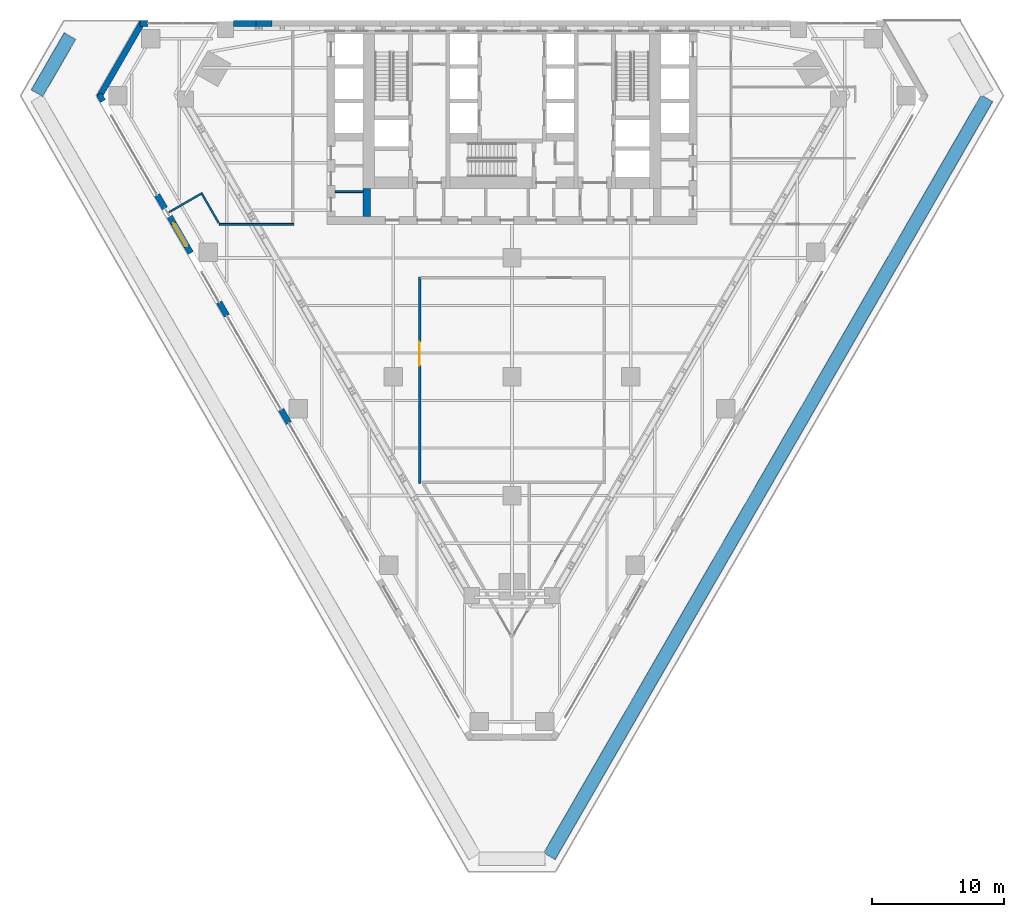
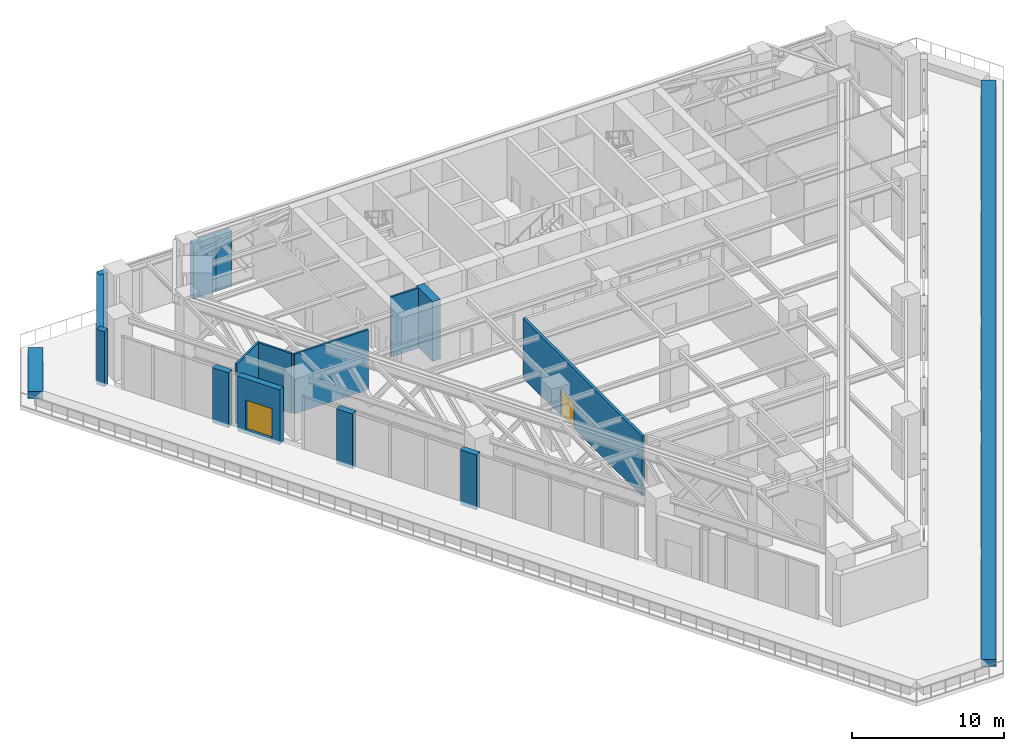
# One storey, part 18 of 25: 17 walls, 2 doors, 2 openings.
"""IFC4 building model written with IfcOpenShell, lengths in metres."""

from ifc_helpers import new_model, si_unit, direction, frame, frame_2d, origin, place, context, subcontext, project, spatial, polyline, rectangle, outline, extrude, material, layer, layer_set, type_object, element, fill, save


model = new_model("IFC4")

# Units and contexts
model_context = context("Model", 3, precision=1e-05, world=origin(), true_north=direction((0.0, 1.0)))
body_context = subcontext(model_context, "Body", "Model", "MODEL_VIEW")
ifc_project = project(units=[si_unit("LENGTHUNIT", "METRE"), si_unit("AREAUNIT", "SQUARE_METRE"), si_unit("VOLUMEUNIT", "CUBIC_METRE"), si_unit("PLANEANGLEUNIT", "RADIAN"), si_unit("MASSUNIT", "GRAM", prefix="KILO")], contexts=[model_context])

# Site, building, storey
site_placement = place(None, origin())
site = spatial("IfcSite", under=ifc_project, at=site_placement, CompositionType="ELEMENT")
building_placement = place(site_placement, origin())
building = spatial("IfcBuilding", under=site, at=building_placement, Name="Aloe Facet Convention Tower", CompositionType="ELEMENT")
storey_placement = place(building_placement, frame((0.0, 0.0, 30.0)))
storey = spatial("IfcBuildingStorey", under=building, at=storey_placement, Name="L05", CompositionType="ELEMENT", Elevation=30.0)

# Walls
ifc_material_1 = material(Name="Concrete blockwork partition", Category="masonry")
ifc_layer_1 = layer(ifc_material_1, 0.14990234375)
ifc_layer_set_1 = layer_set([ifc_layer_1], Name="CR-W-PART150")
wall_type_1 = type_object("IfcWallType", Name="CR-W-PART150", PredefinedType="PARTITIONING", material=ifc_layer_set_1)
wall_1_placement = place(storey_placement, frame((66.60009765625, 122.02490234375, 0.0), z_axis=(0.0, 0.0, 1.0), x_axis=(1.0, 0.0, 0.0)))
element("IfcWall", 1, at=wall_1_placement, inside=storey, type_object=wall_type_1, Name="Core partition L05-008", PredefinedType="PARTITIONING", context=body_context, shape_type="SweptSolid", body=[
    extrude(rectangle(XDim=2.099853515625, YDim=0.14990234375, at=frame_2d((1.0498046875, 0.0))), origin(), (0.0, 0.0, 1.0), 4.800048828125),
])
ifc_material_2 = material(Name="Concrete C80/95", Category="concrete")
ifc_layer_2 = layer(ifc_material_2, 0.60009765625)
ifc_layer_set_2 = layer_set([ifc_layer_2], Name="CR-W-RC600-C8095")
wall_type_2 = type_object("IfcWallType", Name="CR-W-RC600-C8095", PredefinedType="SOLIDWALL", material=ifc_layer_set_2)
wall_2_placement = place(storey_placement, frame((69.0, 122.25, 0.0), z_axis=(0.0, 0.0, 1.0), x_axis=(0.0, -1.0, 0.0)))
element("IfcWall", 2, at=wall_2_placement, inside=storey, type_object=wall_type_2, Name="Core wall L05-010", PredefinedType="SOLIDWALL", context=body_context, shape_type="SweptSolid", body=[
    extrude(rectangle(XDim=2.10009765625, YDim=0.60009765625, at=frame_2d((1.050048828125, 0.0))), origin(), (0.0, 0.0, 1.0), 4.800048828125),
])
ifc_material_3 = material(Name="Precast concrete C40/50", Category="concrete")
ifc_layer_3 = layer(ifc_material_3, 1.0)
ifc_layer_set_3 = layer_set([ifc_layer_3], Name="EV-PLANTER-BED")
wall_type_3 = type_object("IfcWallType", Name="EV-PLANTER-BED", PredefinedType="STANDARD", material=ifc_layer_set_3)
wall_3_placement = place(storey_placement, frame((115.98095703125, 129.09130859375, 0.0), z_axis=(0.0, 0.0, 1.0), x_axis=(-0.500000858155, -0.866024908328, 0.0)))
element("IfcWall", 3, at=wall_3_placement, inside=storey, type_object=wall_type_3, Name="PLANTER PT-L05-1-2", PredefinedType="STANDARD", context=body_context, shape_type="SweptSolid", body=[
    extrude(rectangle(XDim=66.2939453125, YDim=1.0, at=frame_2d((33.14697265625, 0.0))), origin(), (0.0, 0.0, 1.0), 0.60009765625),
])
wall_4_placement = place(storey_placement, frame((44.01904296875, 129.47705078125, 0.0), z_axis=(0.0, 0.0, 1.0), x_axis=(0.500004234368, 0.866022959057, 0.0)))
element("IfcWall", 4, at=wall_4_placement, inside=storey, type_object=wall_type_3, Name="PLANTER PT-L05-1-5", PredefinedType="STANDARD", context=body_context, shape_type="SweptSolid", body=[
    extrude(rectangle(XDim=5.0, YDim=1.0, at=frame_2d((2.5, 0.0))), origin(), (0.0, 0.0, 1.0), 0.60009765625),
])
ifc_material_4 = material(Name="Precast concrete C40/50", Category="concrete")
ifc_layer_4 = layer(ifc_material_4, 0.449951171875)
ifc_layer_set_4 = layer_set([ifc_layer_4], Name="EV-WALL-PIER")
wall_type_4 = type_object("IfcWallType", Name="EV-WALL-PIER", PredefinedType="SOLIDWALL", material=ifc_layer_set_4)
wall_5_placement = place(storey_placement, frame((0.0, 0.0, -0.300048828125)))
element("IfcWall", 5, at=wall_5_placement, inside=storey, type_object=wall_type_4, Name="EP-L05-A", PredefinedType="SOLIDWALL", context=body_context, shape_type="SweptSolid", body=[
    extrude(outline(polyline([(51.826416015625, 135.0), (51.826416015625, 134.550048828125), (52.08642578125, 134.550048828125), (49.046142578125, 129.2841796875), (48.916259765625, 129.50927734375), (48.526611328125, 129.2841796875), (51.826416015625, 135.0)])), origin(), (0.0, 0.0, 1.0), 4.41259765625),
])
ifc_material_5 = material(Name="Precast concrete C40/50", Category="concrete")
ifc_layer_5 = layer(ifc_material_5, 0.449951171875)
ifc_layer_set_5 = layer_set([ifc_layer_5], Name="EV-WALL-STONE")
wall_type_5 = type_object("IfcWallType", Name="EV-WALL-STONE", PredefinedType="SOLIDWALL", material=ifc_layer_set_5)
wall_6_placement = place(storey_placement, frame((61.817626953125, 134.77490234375, -0.300048828125), z_axis=(0.0, 0.0, 1.0), x_axis=(-1.0, 0.0, 0.0)))
element("IfcWall", 6, at=wall_6_placement, inside=storey, type_object=wall_type_5, Name="PW-L05-N11", PredefinedType="SOLIDWALL", context=body_context, shape_type="SweptSolid", body=[
    extrude(rectangle(XDim=1.199951171875, YDim=0.449951171875, at=frame_2d((0.60009765625, 0.0))), origin(), (0.0, 0.0, 1.0), 4.41259765625),
])
wall_7_placement = place(storey_placement, frame((60.61767578125, 134.77490234375, -0.300048828125), z_axis=(0.0, 0.0, 1.0), x_axis=(-1.0, 0.0, 0.0)))
element("IfcWall", 7, at=wall_7_placement, inside=storey, type_object=wall_type_5, Name="CW-L05-N12-R1", PredefinedType="SOLIDWALL", context=body_context, shape_type="SweptSolid", body=[
    extrude(rectangle(XDim=1.7177734375, YDim=0.449951171875, at=frame_2d((0.85888671875, 0.0))), origin(), (0.0, 0.0, 1.0), 4.41259765625),
])
wall_8_placement = place(storey_placement, frame((52.426513671875, 134.77490234375, -0.300048828125), z_axis=(0.0, 0.0, 1.0), x_axis=(-1.0, 0.0, 0.0)))
element("IfcWall", 8, at=wall_8_placement, inside=storey, type_object=wall_type_5, Name="PW-L05-N13", PredefinedType="SOLIDWALL", context=body_context, shape_type="SweptSolid", body=[
    extrude(rectangle(XDim=0.60009765625, YDim=0.449951171875, at=frame_2d((0.300048828125, 0.0))), origin(), (0.0, 0.0, 1.0), 4.41259765625),
])
wall_9_placement = place(storey_placement, frame((48.721435546875, 129.396728515625, -0.300048828125), z_axis=(0.0, 0.0, 1.0), x_axis=(0.499816412211, -0.866131372301, 0.0)))
element("IfcWall", 9, at=wall_9_placement, inside=storey, type_object=wall_type_5, Name="PW-L05-W01", PredefinedType="SOLIDWALL", context=body_context, shape_type="SweptSolid", body=[
    extrude(rectangle(XDim=0.599853515625, YDim=0.449951171875, at=frame_2d((0.2998046875, 0.0))), origin(), (0.0, 0.0, 1.0), 4.41259765625),
])
wall_10_placement = place(storey_placement, frame((53.116943359375, 121.783447265625, -0.300048828125), z_axis=(0.0, 0.0, 1.0), x_axis=(0.500033551112, -0.866006032174, 0.0)))
element("IfcWall", 10, at=wall_10_placement, inside=storey, type_object=wall_type_5, Name="PW-L05-W03", PredefinedType="SOLIDWALL", context=body_context, shape_type="SweptSolid", body=[
    extrude(rectangle(XDim=1.2001953125, YDim=0.449951171875, at=frame_2d((0.60009765625, 0.0))), origin(), (0.0, 0.0, 1.0), 4.41259765625),
])

# Wall, opening, door
wall_11_placement = place(storey_placement, frame((54.064697265625, 120.141845703125, -0.300048828125), z_axis=(0.0, 0.0, 1.0), x_axis=(0.499995408039, -0.866028054938, 0.0)))
wall_11 = element("IfcWall", 11, at=wall_11_placement, inside=storey, type_object=wall_type_5, Name="PW-L05-W04", PredefinedType="SOLIDWALL", context=body_context, shape_type="SweptSolid", body=[
    extrude(rectangle(XDim=3.2001953125, YDim=0.449951171875, at=frame_2d((1.60009765625, 0.0))), origin(), (0.0, 0.0, 1.0), 4.41259765625),
])
opening_1_placement = place(wall_11_placement, frame((0.60009765625, 0.0, 0.300048828125)))
opening_1 = element("IfcOpeningElement", 12, at=opening_1_placement, cuts=wall_11, Name="Opening D-L05-W04", PredefinedType="OPENING", context=body_context, shape_type="SweptSolid", body=[
    extrude(rectangle(XDim=2.0, YDim=2.39990234375, at=frame_2d((1.0, 1.199951171875))), frame((0.0, 0.23486328125, 0.0), z_axis=(0.0, -1.0, 0.0), x_axis=(1.0, 0.0, 0.0)), (0.0, 0.0, 1.0), 0.469970703125),
])
ifc_material_6 = material(Name="Aluminium frame, clear double glazing", Category="aluminium")
door_type_1 = type_object("IfcDoorType", Name="EV-DOOR-HALL", OperationType="DOUBLE_DOOR_SINGLE_SWING", PredefinedType="DOOR", material=ifc_material_6)
door_1_placement = place(opening_1_placement, origin())
door_1 = element("IfcDoor", 13, at=door_1_placement, inside=storey, type_object=door_type_1, Name="D-L05-W04", OperationType="DOUBLE_DOOR_SINGLE_SWING", OverallHeight=2.39990234375, OverallWidth=2.0, PredefinedType="DOOR", context=body_context, shape_type="SweptSolid", body=[
    extrude(rectangle(XDim=2.0, YDim=2.39990234375, at=frame_2d((1.0, 1.199951171875))), frame((0.0, 0.02490234375, 0.0), z_axis=(0.0, -1.0, 0.0), x_axis=(1.0, 0.0, 0.0)), (0.0, 0.0, 1.0), 0.050048828125),
])
fill(opening_1, door_1)

# Walls
for number, where, z_axis, x_axis, name in (
    (14, (57.8125, 113.650390625, -0.300048828125), (0.0, 0.0, 1.0), (0.500033551112, -0.866006032174, 0.0), "PW-L05-W05"),
    (15, (62.508056640625, 105.517333984375, -0.300048828125), (0.0, 0.0, 1.0), (0.500033551112, -0.866006032174, 0.0), "PW-L05-W07"),
):
    element("IfcWall", number, at=place(storey_placement, frame(where, z_axis=z_axis, x_axis=x_axis)), inside=storey, type_object=wall_type_5, Name=name, PredefinedType="SOLIDWALL", context=body_context, shape_type="SweptSolid", body=[
        extrude(rectangle(XDim=1.2001953125, YDim=0.449951171875, at=frame_2d((0.60009765625, 0.0))), origin(), (0.0, 0.0, 1.0), 4.41259765625),
    ])

# Wall, opening, door
ifc_material_7 = material(Name="Masonry blockwork wall, plastered", Category="masonry")
ifc_layer_6 = layer(ifc_material_7, 0.199951171875)
ifc_layer_set_6 = layer_set([ifc_layer_6], Name="IN-POD-W-ASSY")
wall_type_6 = type_object("IfcWallType", Name="IN-POD-W-ASSY", PredefinedType="PARTITIONING", material=ifc_layer_set_6)
wall_12_placement = place(storey_placement, frame((73.0, 99.925048828125, 0.0), z_axis=(0.0, 0.0, 1.0), x_axis=(0.0, 1.0, 0.0)))
wall_12 = element("IfcWall", 16, at=wall_12_placement, inside=storey, type_object=wall_type_6, Name="Partition L05-W004", PredefinedType="PARTITIONING", context=body_context, shape_type="SweptSolid", body=[
    extrude(rectangle(XDim=15.64990234375, YDim=0.199951171875, at=frame_2d((7.824951171875, 0.0))), origin(), (0.0, 0.0, 1.0), 4.800048828125),
])
opening_2_placement = place(wall_12_placement, frame((8.91259765625, 0.0, 0.0)))
opening_2 = element("IfcOpeningElement", 17, at=opening_2_placement, cuts=wall_12, Name="Opening L05-005", PredefinedType="OPENING", context=body_context, shape_type="SweptSolid", body=[
    extrude(rectangle(XDim=1.800048828125, YDim=2.10009765625, at=frame_2d((0.89990234375, 1.050048828125))), frame((0.0, 0.10986328125, 0.0), z_axis=(0.0, -1.0, 0.0), x_axis=(1.0, 0.0, 0.0)), (0.0, 0.0, 1.0), 0.219970703125),
])
ifc_material_8 = material(Name="Hardwood flush door pair", Category="wood")
door_type_2 = type_object("IfcDoorType", Name="IN-POD-D-PAIR", OperationType="DOUBLE_DOOR_SINGLE_SWING", PredefinedType="DOOR", material=ifc_material_8)
door_2_placement = place(opening_2_placement, origin())
door_2 = element("IfcDoor", 18, at=door_2_placement, inside=storey, type_object=door_type_2, Name="Door L05-005", OperationType="SINGLE_SWING_LEFT", OverallHeight=2.10009765625, OverallWidth=1.800048828125, PredefinedType="DOOR", context=body_context, shape_type="SweptSolid", body=[
    extrude(rectangle(XDim=1.800048828125, YDim=2.10009765625, at=frame_2d((0.89990234375, 1.050048828125))), frame((0.0, 0.02490234375, 0.0), z_axis=(0.0, -1.0, 0.0), x_axis=(1.0, 0.0, 0.0)), (0.0, 0.0, 1.0), 0.050048828125),
])
fill(opening_2, door_2)

# Walls
ifc_material_9 = material(Name="Gypsum board partition on steel studs, double layer", Category="steel")
ifc_layer_7 = layer(ifc_material_9, 0.14990234375)
ifc_layer_set_7 = layer_set([ifc_layer_7], Name="IN-POD-W-CORR")
wall_type_7 = type_object("IfcWallType", Name="IN-POD-W-CORR", PredefinedType="PARTITIONING", material=ifc_layer_set_7)
wall_13_placement = place(storey_placement, frame((57.841796875, 119.550048828125, 0.0), z_axis=(0.0, 0.0, 1.0), x_axis=(1.0, 0.0, 0.0)))
element("IfcWall", 19, at=wall_13_placement, inside=storey, type_object=wall_type_7, Name="Partition L05-W012", PredefinedType="PARTITIONING", context=body_context, shape_type="SweptSolid", body=[
    extrude(rectangle(XDim=5.6328125, YDim=0.14990234375, at=frame_2d((2.81640625, 0.0))), origin(), (0.0, 0.0, 1.0), 4.800048828125),
])
wall_14_placement = place(storey_placement, frame((54.001220703125, 120.45166015625, 0.0), z_axis=(0.0, 0.0, 1.0), x_axis=(0.866060182126, 0.499939757307, 0.0)))
element("IfcWall", 20, at=wall_14_placement, inside=storey, type_object=wall_type_7, Name="Partition L05-W015", PredefinedType="PARTITIONING", context=body_context, shape_type="SweptSolid", body=[
    extrude(rectangle(XDim=2.949951171875, YDim=0.14990234375, at=frame_2d((1.47509765625, 0.0))), origin(), (0.0, 0.0, 1.0), 4.800048828125),
])
wall_15_placement = place(storey_placement, frame((56.53369140625, 121.8154296875, 0.0), z_axis=(0.0, 0.0, 1.0), x_axis=(0.500068153333, -0.865986051864, 0.0)))
element("IfcWall", 21, at=wall_15_placement, inside=storey, type_object=wall_type_7, Name="Partition L05-W016", PredefinedType="PARTITIONING", context=body_context, shape_type="SweptSolid", body=[
    extrude(rectangle(XDim=2.486083984375, YDim=0.14990234375, at=frame_2d((1.2431640625, 0.0))), origin(), (0.0, 0.0, 1.0), 4.800048828125),
])

save(model, "model.ifc")
